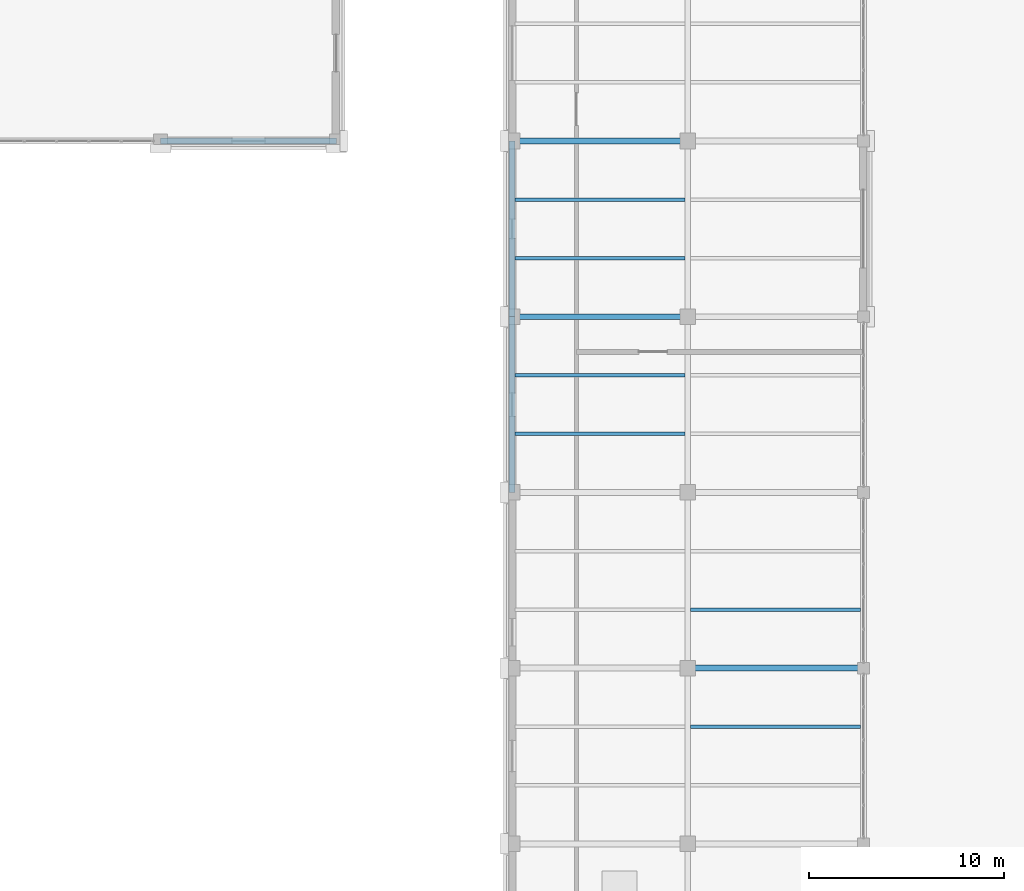
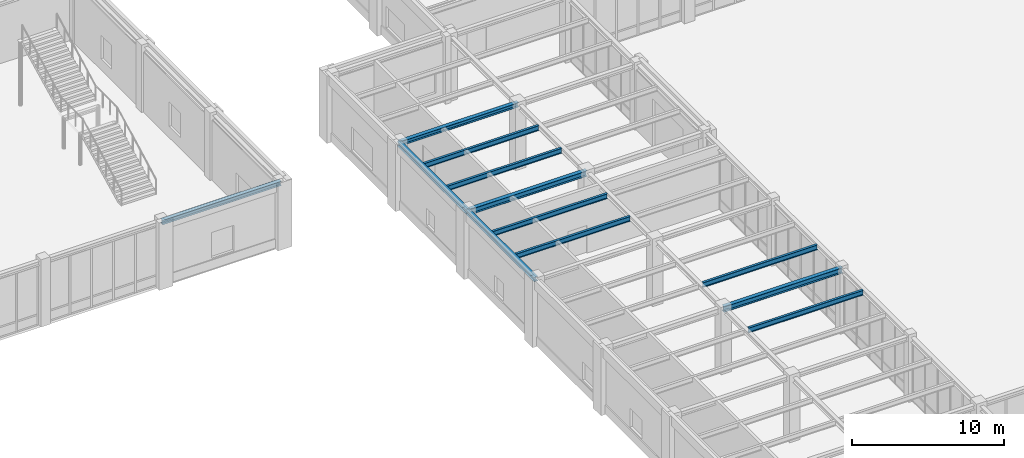
# One storey, part 40 of 77: 12 beams.
"""IFC4 building model written with IfcOpenShell, lengths in metres."""

from ifc_helpers import new_model, si_unit, direction, frame, origin, origin_2d, place, context, subcontext, project, spatial, i_section, extrude, material, material_profile, profile_set, type_object, element, save


model = new_model("IFC4")

# Units and contexts
model_context = context("Model", 3, precision=1e-05, world=origin(), true_north=direction((0.0, 1.0)))
body_context = subcontext(model_context, "Body", "Model", "MODEL_VIEW")
ifc_project = project(units=[si_unit("LENGTHUNIT", "METRE"), si_unit("AREAUNIT", "SQUARE_METRE"), si_unit("VOLUMEUNIT", "CUBIC_METRE"), si_unit("PLANEANGLEUNIT", "RADIAN"), si_unit("MASSUNIT", "GRAM", prefix="KILO")], contexts=[model_context])

# Site, building, storey
site_placement = place(None, origin())
site = spatial("IfcSite", under=ifc_project, at=site_placement, CompositionType="ELEMENT")
building_placement = place(site_placement, origin())
building = spatial("IfcBuilding", under=site, at=building_placement, Name="Lykobir Media Centre", CompositionType="ELEMENT")
storey_placement = place(building_placement, origin())
storey = spatial("IfcBuildingStorey", under=building, at=storey_placement, Name="L00", CompositionType="ELEMENT", Elevation=0.0)

# Beams
ifc_material = material(Name="Steel S355", Category="steel")
ifc_material_profile_1 = material_profile(ifc_material, i_section(OverallWidth=0.300048828125, OverallDepth=0.43994140625, WebThickness=0.011474609375, FlangeThickness=0.02099609375, at=origin_2d()), Name="HEA 450")
ifc_profile_set_1 = profile_set([ifc_material_profile_1], Name="Steel S355")
beam_type_1 = type_object("IfcBeamType", Name="BM-HEA450", PredefinedType="BEAM", material=ifc_profile_set_1)
for number, where, z_axis, x_axis, name in (
    (1, (99.0, 36.0, 4.93798828125), (1.0, 0.0, 0.0), (0.0, 1.0, 0.0), "Beam BM-L00-0990-0360-1080-0360-496"),
    (2, (90.0, 54.0, 4.93994140625), (1.0, 0.0, 0.0), (0.0, 1.0, 0.0), "Beam BM-L00-0900-0540-0990-0540-494"),
):
    element("IfcBeam", number, at=place(storey_placement, frame(where, z_axis=z_axis, x_axis=x_axis)), inside=storey, type_object=beam_type_1, Name=name, PredefinedType="BEAM", context=body_context, shape_type="SweptSolid", body=[
        extrude(i_section(OverallWidth=0.300048828125, OverallDepth=0.43994140625, WebThickness=0.011474609375, FlangeThickness=0.02099609375, at=origin_2d()), origin(), (0.0, 0.0, 1.0), 9.0),
    ])
ifc_material_profile_2 = material_profile(ifc_material, i_section(OverallWidth=0.179931640625, OverallDepth=0.39990234375, WebThickness=0.008544921875, FlangeThickness=0.013427734375, at=origin_2d()), Name="IPE 400")
ifc_profile_set_2 = profile_set([ifc_material_profile_2], Name="Steel S355")
beam_type_2 = type_object("IfcBeamType", Name="JS-IPE400", PredefinedType="JOIST", material=ifc_profile_set_2)
for number, where, z_axis, x_axis, name in (
    (3, (90.14990234375, 48.0, 4.9599609375), (1.0, 0.0, 0.0), (0.0, 1.0, 0.0), "Beam BM-L00-0902-0480-0988-0480-496"),
    (4, (90.14990234375, 51.0, 4.9599609375), (1.0, 0.0, 0.0), (0.0, 1.0, 0.0), "Beam BM-L00-0902-0510-0988-0510-496"),
    (5, (90.14990234375, 57.0, 4.9599609375), (1.0, 0.0, 0.0), (0.0, 1.0, 0.0), "Beam BM-L00-0902-0570-0988-0570-496"),
    (6, (90.14990234375, 60.0, 4.9599609375), (1.0, 0.0, 0.0), (0.0, 1.0, 0.0), "Beam BM-L00-0902-0600-0988-0600-496"),
    (7, (99.14990234375, 33.0, 4.97998046875), (1.0, 0.0, 0.0), (0.0, 1.0, 0.0), "Beam BM-L00-0992-0330-1078-0330-498"),
    (8, (99.14990234375, 39.0, 4.97998046875), (1.0, 0.0, 0.0), (0.0, 1.0, 0.0), "Beam BM-L00-0992-0390-1078-0390-498"),
):
    element("IfcBeam", number, at=place(storey_placement, frame(where, z_axis=z_axis, x_axis=x_axis)), inside=storey, type_object=beam_type_2, Name=name, PredefinedType="JOIST", context=body_context, shape_type="SweptSolid", body=[
        extrude(i_section(OverallWidth=0.179931640625, OverallDepth=0.39990234375, WebThickness=0.008544921875, FlangeThickness=0.013427734375, at=origin_2d()), origin(), (0.0, 0.0, 1.0), 8.7001953125),
    ])
ifc_material_profile_3 = material_profile(ifc_material, i_section(OverallWidth=0.300048828125, OverallDepth=0.35009765625, WebThickness=0.010009765625, FlangeThickness=0.017578125, at=origin_2d()), Name="HEA 360")
ifc_profile_set_3 = profile_set([ifc_material_profile_3], Name="Steel S355")
beam_type_3 = type_object("IfcBeamType", Name="SP-HEA360", PredefinedType="SPANDREL", material=ifc_profile_set_3)
for number, where, z_axis, x_axis, name in (
    (9, (72.0, 63.0, 4.985107421875), (1.0, 0.0, 0.0), (0.0, 1.0, 0.0), "Beam BM-L00-0720-0630-0810-0630-499"),
    (10, (90.0, 63.0, 4.985107421875), (1.0, 0.0, 0.0), (0.0, 1.0, 0.0), "Beam BM-L00-0900-0630-0990-0630-499"),
):
    element("IfcBeam", number, at=place(storey_placement, frame(where, z_axis=z_axis, x_axis=x_axis)), inside=storey, type_object=beam_type_3, Name=name, PredefinedType="SPANDREL", context=body_context, shape_type="SweptSolid", body=[
        extrude(i_section(OverallWidth=0.300048828125, OverallDepth=0.35009765625, WebThickness=0.010009765625, FlangeThickness=0.017578125, at=origin_2d()), origin(), (0.0, 0.0, 1.0), 9.0),
    ])
ifc_material_profile_4 = material_profile(ifc_material, i_section(OverallWidth=0.300048828125, OverallDepth=0.35009765625, WebThickness=0.010009765625, FlangeThickness=0.017578125, at=origin_2d()), Name="HEA 360")
ifc_profile_set_4 = profile_set([ifc_material_profile_4], Name="Steel S355")
beam_type_4 = type_object("IfcBeamType", Name="SP-HEA360-E", PredefinedType="SPANDREL", material=ifc_profile_set_4)
for number, where, z_axis, x_axis, name in (
    (11, (90.0, 45.0, 4.985107421875), (0.0, 1.0, 0.0), (-1.0, 0.0, 0.0), "Beam BM-L00-0900-0450-0900-0540-499"),
    (12, (90.0, 54.0, 4.985107421875), (0.0, 1.0, 0.0), (-1.0, 0.0, 0.0), "Beam BM-L00-0900-0540-0900-0630-499"),
):
    element("IfcBeam", number, at=place(storey_placement, frame(where, z_axis=z_axis, x_axis=x_axis)), inside=storey, type_object=beam_type_4, Name=name, PredefinedType="SPANDREL", context=body_context, shape_type="SweptSolid", body=[
        extrude(i_section(OverallWidth=0.300048828125, OverallDepth=0.35009765625, WebThickness=0.010009765625, FlangeThickness=0.017578125, at=origin_2d()), origin(), (0.0, 0.0, 1.0), 9.0),
    ])

save(model, "model.ifc")
